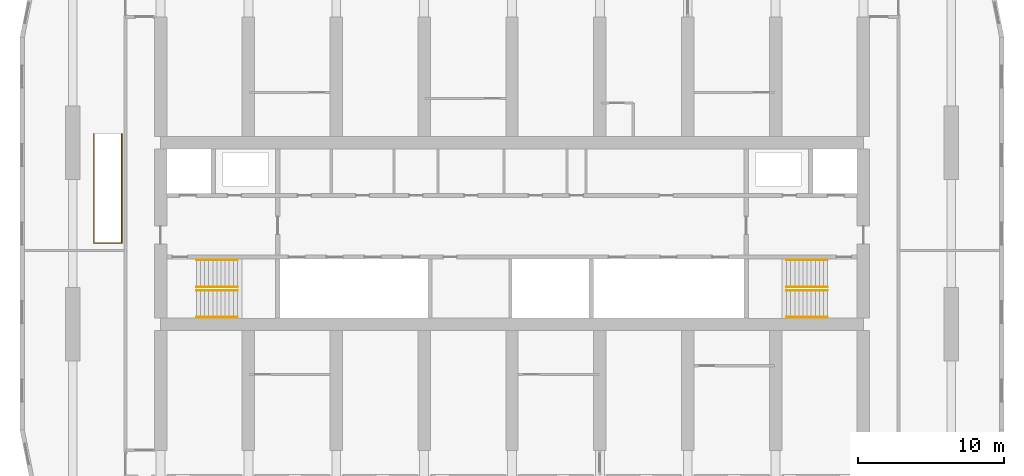
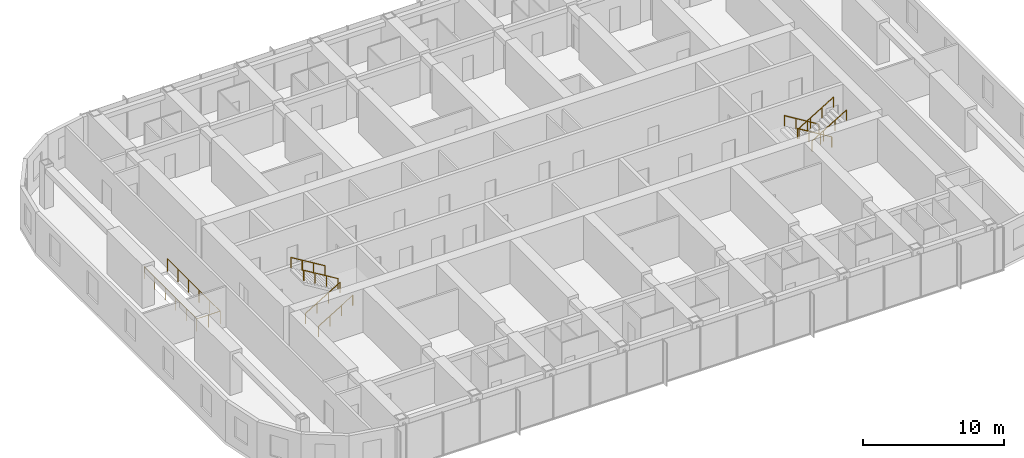
# One storey, part 22 of 22: 9 railings.
"""IFC4 building model written with IfcOpenShell, lengths in metres."""

from ifc_helpers import new_model, si_unit, direction, frame, origin, origin_2d, place, context, subcontext, project, spatial, circle, extrude, material, type_object, element, save


model = new_model("IFC4")

# Units and contexts
model_context = context("Model", 3, precision=1e-05, world=origin(), true_north=direction((0.0, 1.0)))
body_context = subcontext(model_context, "Body", "Model", "MODEL_VIEW")
ifc_project = project(units=[si_unit("LENGTHUNIT", "METRE"), si_unit("AREAUNIT", "SQUARE_METRE"), si_unit("VOLUMEUNIT", "CUBIC_METRE"), si_unit("PLANEANGLEUNIT", "RADIAN"), si_unit("MASSUNIT", "GRAM", prefix="KILO")], contexts=[model_context])

# Site, building, storey
site_placement = place(None, origin())
site = spatial("IfcSite", under=ifc_project, at=site_placement, CompositionType="ELEMENT")
building_placement = place(site_placement, origin())
building = spatial("IfcBuilding", under=site, at=building_placement, Name="Orbita Commons", CompositionType="ELEMENT")
storey_placement = place(building_placement, frame((0.0, 0.0, 182.35009765625)))
storey = spatial("IfcBuildingStorey", under=building, at=storey_placement, Name="L45", CompositionType="ELEMENT", Elevation=182.35009765625)

# Railings
ifc_material_1 = material(Name="Steel tube, painted", Category="steel")
railing_type_1 = type_object("IfcRailingType", Name="Stair handrail steel tube 900", PredefinedType="HANDRAIL", material=ifc_material_1)
for number, where, name in (
    (1, (20.449951171875, 28.114990234375, 0.17041015625), "Stair S1 handrail L45 flight 1"),
    (2, (20.449951171875, 26.284912109375, 0.17041015625), "Stair S1 handrail L45 flight 1"),
):
    element("IfcRailing", number, at=place(storey_placement, frame(where)), inside=storey, type_object=railing_type_1, Name=name, PredefinedType="HANDRAIL", context=body_context, shape_type="SweptSolid", body=[
        extrude(circle(Radius=0.02099609375, at=origin_2d()), frame((0.0, 0.0, 0.87890625), z_axis=(0.854169791009, 0.0, 0.51999420009), x_axis=(0.0, 1.0, 0.0)), (0.0, 0.0, 1.0), 3.278076171875),
        extrude(circle(Radius=0.02001953125, at=origin_2d()), origin(), (0.0, 0.0, 1.0), 0.85791015625),
        extrude(circle(Radius=0.02001953125, at=origin_2d()), frame((0.933349609375, 0.0, 0.568115234375)), (0.0, 0.0, 1.0), 0.85791015625),
        extrude(circle(Radius=0.02001953125, at=origin_2d()), frame((1.86669921875, 0.0, 1.136474609375)), (0.0, 0.0, 1.0), 0.85791015625),
        extrude(circle(Radius=0.02001953125, at=origin_2d()), frame((2.800048828125, 0.0, 1.70458984375)), (0.0, 0.0, 1.0), 0.85791015625),
    ])
for number, where, name in (
    (3, (23.25, 28.360107421875, 2.04541015625), "Stair S1 handrail L45 flight 2"),
    (4, (23.25, 30.18994140625, 2.04541015625), "Stair S1 handrail L45 flight 2"),
    (5, (63.550048828125, 28.360107421875, 0.17041015625), "Stair S2 handrail L45 flight 1"),
    (6, (63.550048828125, 30.18994140625, 0.17041015625), "Stair S2 handrail L45 flight 1"),
):
    element("IfcRailing", number, at=place(storey_placement, frame(where)), inside=storey, type_object=railing_type_1, Name=name, PredefinedType="HANDRAIL", context=body_context, shape_type="SweptSolid", body=[
        extrude(circle(Radius=0.02099609375, at=origin_2d()), frame((0.0, 0.0, 0.87890625), z_axis=(-0.854169791009, 0.0, 0.51999420009), x_axis=(0.0, -1.0, 0.0)), (0.0, 0.0, 1.0), 3.278076171875),
        extrude(circle(Radius=0.02001953125, at=origin_2d()), origin(), (0.0, 0.0, 1.0), 0.85791015625),
        extrude(circle(Radius=0.02001953125, at=origin_2d()), frame((-0.933349609375, 0.0, 0.568115234375)), (0.0, 0.0, 1.0), 0.85791015625),
        extrude(circle(Radius=0.02001953125, at=origin_2d()), frame((-1.86669921875, 0.0, 1.136474609375)), (0.0, 0.0, 1.0), 0.85791015625),
        extrude(circle(Radius=0.02001953125, at=origin_2d()), frame((-2.800048828125, 0.0, 1.70458984375)), (0.0, 0.0, 1.0), 0.85791015625),
    ])
for number, where, name in (
    (7, (60.75, 28.114990234375, 2.04541015625), "Stair S2 handrail L45 flight 2"),
    (8, (60.75, 26.284912109375, 2.04541015625), "Stair S2 handrail L45 flight 2"),
):
    element("IfcRailing", number, at=place(storey_placement, frame(where)), inside=storey, type_object=railing_type_1, Name=name, PredefinedType="HANDRAIL", context=body_context, shape_type="SweptSolid", body=[
        extrude(circle(Radius=0.02099609375, at=origin_2d()), frame((0.0, 0.0, 0.87890625), z_axis=(0.854169791009, 0.0, 0.51999420009), x_axis=(0.0, 1.0, 0.0)), (0.0, 0.0, 1.0), 3.278076171875),
        extrude(circle(Radius=0.02001953125, at=origin_2d()), origin(), (0.0, 0.0, 1.0), 0.85791015625),
        extrude(circle(Radius=0.02001953125, at=origin_2d()), frame((0.933349609375, 0.0, 0.568115234375)), (0.0, 0.0, 1.0), 0.85791015625),
        extrude(circle(Radius=0.02001953125, at=origin_2d()), frame((1.86669921875, 0.0, 1.136474609375)), (0.0, 0.0, 1.0), 0.85791015625),
        extrude(circle(Radius=0.02001953125, at=origin_2d()), frame((2.800048828125, 0.0, 1.70458984375)), (0.0, 0.0, 1.0), 0.85791015625),
    ])
ifc_material_2 = material(Name="Laminated glass on steel posts", Category="steel")
railing_type_2 = type_object("IfcRailingType", Name="Void guard, glass on steel posts 1100", PredefinedType="GUARDRAIL", material=ifc_material_2)
railing_placement = place(storey_placement, frame((13.449951171875, 38.800048828125, 0.0)))
element("IfcRailing", 9, at=railing_placement, inside=storey, type_object=railing_type_2, Name="Void guard L45", PredefinedType="GUARDRAIL", context=body_context, shape_type="SweptSolid", body=[
    extrude(circle(Radius=0.02490234375, at=origin_2d()), frame((0.0, 0.0, 1.0751953125), z_axis=(0.0, -1.0, 0.0), x_axis=(1.0, 0.0, 0.0)), (0.0, 0.0, 1.0), 7.449951171875),
    extrude(circle(Radius=0.02490234375, at=origin_2d()), frame((0.0, -7.449951171875, 1.0751953125), z_axis=(1.0, 0.0, 0.0), x_axis=(0.0, 1.0, 0.0)), (0.0, 0.0, 1.0), 1.900146484375),
    extrude(circle(Radius=0.02490234375, at=origin_2d()), frame((1.900146484375, -7.449951171875, 1.0751953125), z_axis=(0.0, 1.0, 0.0), x_axis=(-1.0, 0.0, 0.0)), (0.0, 0.0, 1.0), 7.449951171875),
    extrude(circle(Radius=0.02490234375, at=origin_2d()), origin(), (0.0, 0.0, 1.0), 1.050048828125),
    extrude(circle(Radius=0.02490234375, at=origin_2d()), frame((0.0, -1.489990234375, 0.0)), (0.0, 0.0, 1.0), 1.050048828125),
    extrude(circle(Radius=0.02490234375, at=origin_2d()), frame((0.0, -2.97998046875, 0.0)), (0.0, 0.0, 1.0), 1.050048828125),
    extrude(circle(Radius=0.02490234375, at=origin_2d()), frame((0.0, -4.469970703125, 0.0)), (0.0, 0.0, 1.0), 1.050048828125),
    extrude(circle(Radius=0.02490234375, at=origin_2d()), frame((0.0, -5.9599609375, 0.0)), (0.0, 0.0, 1.0), 1.050048828125),
    extrude(circle(Radius=0.02490234375, at=origin_2d()), frame((0.0, -7.449951171875, 0.0)), (0.0, 0.0, 1.0), 1.050048828125),
    extrude(circle(Radius=0.02490234375, at=origin_2d()), frame((0.9501953125, -7.449951171875, 0.0)), (0.0, 0.0, 1.0), 1.050048828125),
    extrude(circle(Radius=0.02490234375, at=origin_2d()), frame((1.900146484375, -7.449951171875, 0.0)), (0.0, 0.0, 1.0), 1.050048828125),
    extrude(circle(Radius=0.02490234375, at=origin_2d()), frame((1.900146484375, -5.9599609375, 0.0)), (0.0, 0.0, 1.0), 1.050048828125),
    extrude(circle(Radius=0.02490234375, at=origin_2d()), frame((1.900146484375, -4.469970703125, 0.0)), (0.0, 0.0, 1.0), 1.050048828125),
    extrude(circle(Radius=0.02490234375, at=origin_2d()), frame((1.900146484375, -2.97998046875, 0.0)), (0.0, 0.0, 1.0), 1.050048828125),
    extrude(circle(Radius=0.02490234375, at=origin_2d()), frame((1.900146484375, -1.489990234375, 0.0)), (0.0, 0.0, 1.0), 1.050048828125),
    extrude(circle(Radius=0.02490234375, at=origin_2d()), frame((1.900146484375, 0.0, 0.0)), (0.0, 0.0, 1.0), 1.050048828125),
])

save(model, "model.ifc")
